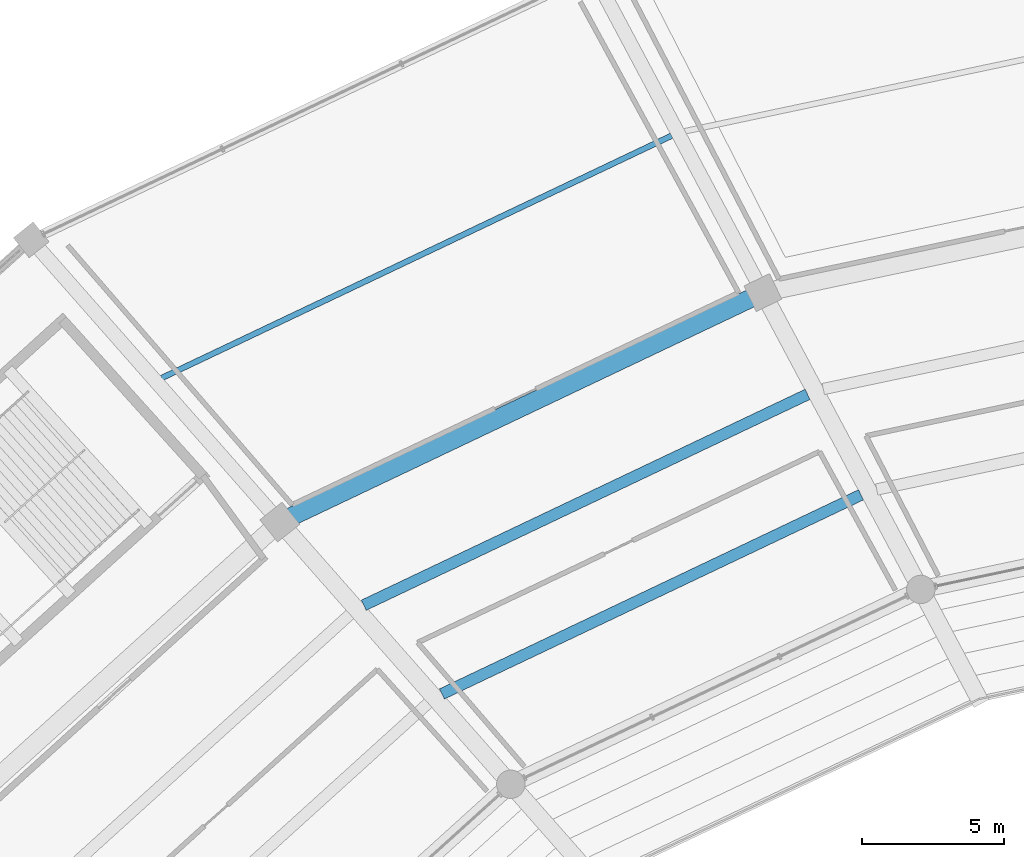
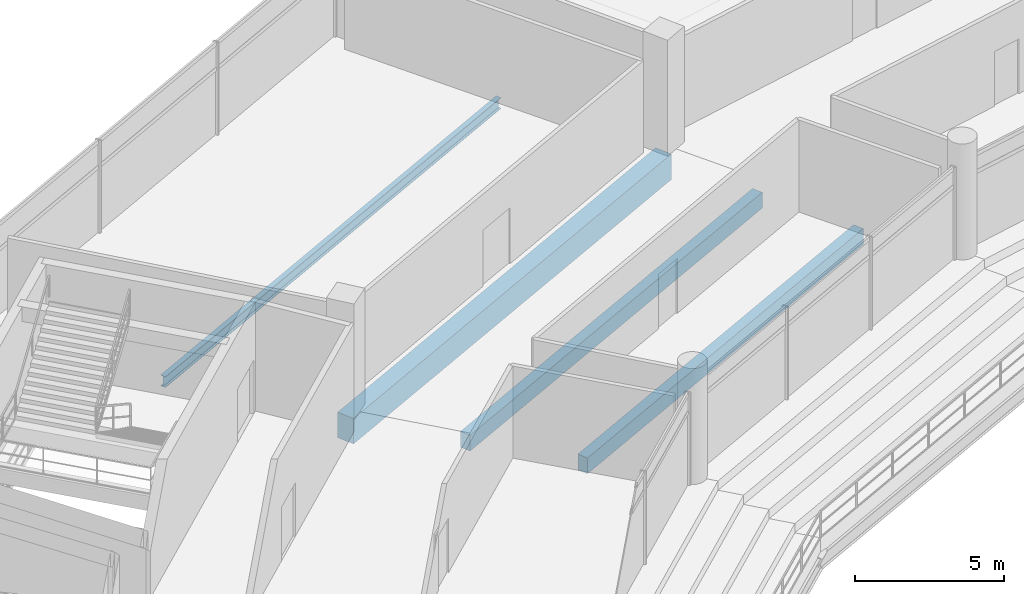
# One storey, part 84 of 171: 4 beams.
"""IFC4 building model written with IfcOpenShell, lengths in metres."""

from ifc_helpers import new_model, si_unit, direction, frame, origin, origin_2d, place, context, subcontext, project, spatial, rectangle, i_section, extrude, material, material_profile, profile_set, type_object, element, save


model = new_model("IFC4")

# Units and contexts
model_context = context("Model", 3, precision=1e-05, world=origin(), true_north=direction((0.0, 1.0)))
body_context = subcontext(model_context, "Body", "Model", "MODEL_VIEW")
ifc_project = project(units=[si_unit("LENGTHUNIT", "METRE"), si_unit("AREAUNIT", "SQUARE_METRE"), si_unit("VOLUMEUNIT", "CUBIC_METRE"), si_unit("PLANEANGLEUNIT", "RADIAN"), si_unit("MASSUNIT", "GRAM", prefix="KILO")], contexts=[model_context])

# Site, building, storey
site_placement = place(None, origin())
site = spatial("IfcSite", under=ifc_project, at=site_placement, CompositionType="ELEMENT")
building_placement = place(site_placement, origin())
building = spatial("IfcBuilding", under=site, at=building_placement, Name="Kazemori Nagisa Stadium", CompositionType="ELEMENT")
storey_placement = place(building_placement, frame((0.0, 0.0, 15.639892578125)))
storey = spatial("IfcBuildingStorey", under=building, at=storey_placement, Name="L03", CompositionType="ELEMENT", Elevation=15.639892578125)

# Beams
ifc_material_1 = material(Name="Concrete C40/50 (Fc42)", Category="concrete")
ifc_material_profile_1 = material_profile(ifc_material_1, rectangle(XDim=0.64990234375, YDim=1.050048828125, at=origin_2d()), Name="RC-BM-650x1050")
ifc_profile_set_1 = profile_set([ifc_material_profile_1], Name="Concrete C40/50 (Fc42)")
beam_type_1 = type_object("IfcBeamType", Name="Beam_BG-RC650X1050", PredefinedType="BEAM", material=ifc_profile_set_1)
beam_1_placement = place(storey_placement, frame((86.18798828125, 171.19921875, -0.784912109375), z_axis=(-0.90321938295, -0.42917915404, 0.0), x_axis=(0.42917915404, -0.90321938295, 0.0)))
element("IfcBeam", 1, at=beam_1_placement, inside=storey, type_object=beam_type_1, Name="Ring girder BG-RC650X1050 L03 R2-10", PredefinedType="BEAM", context=body_context, shape_type="SweptSolid", body=[
    extrude(rectangle(XDim=0.64990234375, YDim=1.050048828125, at=origin_2d()), origin(), (0.0, 0.0, 1.0), 18.84619140625),
])
ifc_material_2 = material(Name="Steel SN490B", Category="steel")
ifc_material_profile_2 = material_profile(ifc_material_2, i_section(OverallWidth=0.199951171875, OverallDepth=0.449951171875, WebThickness=0.009033203125, FlangeThickness=0.013916015625, FilletRadius=0.012939453125, at=origin_2d()), Name="H-450x200x9x14")
ifc_profile_set_2 = profile_set([ifc_material_profile_2], Name="Steel SN490B")
beam_type_2 = type_object("IfcBeamType", Name="Beam_BJ-H450", PredefinedType="JOIST", material=ifc_profile_set_2)
beam_2_placement = place(storey_placement, frame((82.97021484375, 176.7265625, -0.48486328125), z_axis=(-0.903215058486, -0.429188254876, 0.0), x_axis=(0.429188254876, -0.903215058486, 0.0)))
element("IfcBeam", 2, at=beam_2_placement, inside=storey, type_object=beam_type_2, Name="Outer bay joist BJ-H450 L03 B10", PredefinedType="JOIST", context=body_context, shape_type="SweptSolid", body=[
    extrude(i_section(OverallWidth=0.199951171875, OverallDepth=0.449951171875, WebThickness=0.009033203125, FlangeThickness=0.013916015625, FilletRadius=0.012939453125, at=origin_2d()), origin(), (0.0, 0.0, 1.0), 19.89013671875),
])
ifc_material_profile_3 = material_profile(ifc_material_1, rectangle(XDim=0.39990234375, YDim=0.64990234375, at=origin_2d()), Name="RC-BM-400x650")
ifc_profile_set_3 = profile_set([ifc_material_profile_3], Name="Concrete C40/50 (Fc42)")
beam_type_3 = type_object("IfcBeamType", Name="Beam_BJ-RC400X650", PredefinedType="JOIST", material=ifc_profile_set_3)
beam_3_placement = place(storey_placement, frame((89.6455078125, 164.072265625, -0.5849609375), z_axis=(-0.903215717065, -0.429186868912, 0.0), x_axis=(0.429186868912, -0.903215717065, 0.0)))
element("IfcBeam", 3, at=beam_3_placement, inside=storey, type_object=beam_type_3, Name="Concourse joist BJ-RC400X650 L03 B10-1", PredefinedType="JOIST", context=body_context, shape_type="SweptSolid", body=[
    extrude(rectangle(XDim=0.39990234375, YDim=0.64990234375, at=origin_2d()), origin(), (0.0, 0.0, 1.0), 16.349609375),
])
beam_4_placement = place(storey_placement, frame((87.76220703125, 167.61279296875, -0.5849609375), z_axis=(-0.903215468459, -0.429187392099, 0.0), x_axis=(0.429187392099, -0.903215468459, 0.0)))
element("IfcBeam", 4, at=beam_4_placement, inside=storey, type_object=beam_type_3, Name="Concourse joist BJ-RC400X650 L03 B10-2", PredefinedType="JOIST", context=body_context, shape_type="SweptSolid", body=[
    extrude(rectangle(XDim=0.39990234375, YDim=0.64990234375, at=origin_2d()), origin(), (0.0, 0.0, 1.0), 17.31396484375),
])

save(model, "model.ifc")
